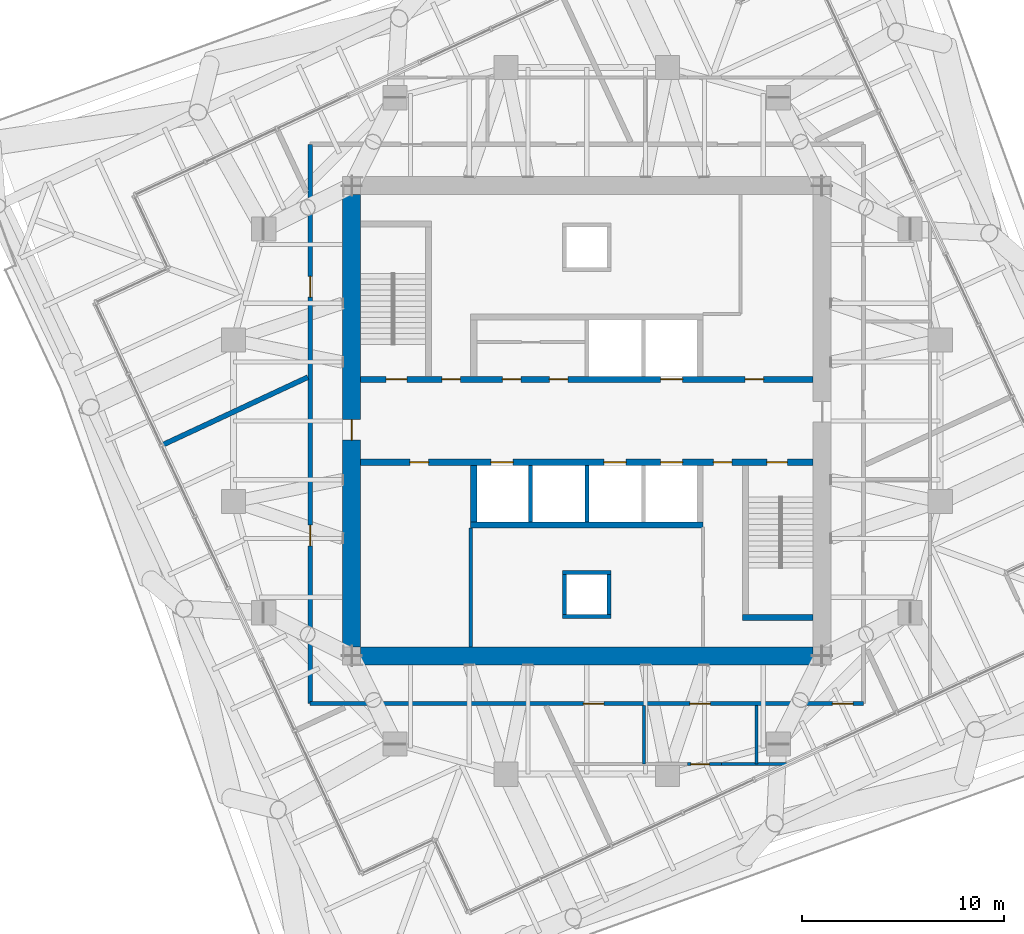
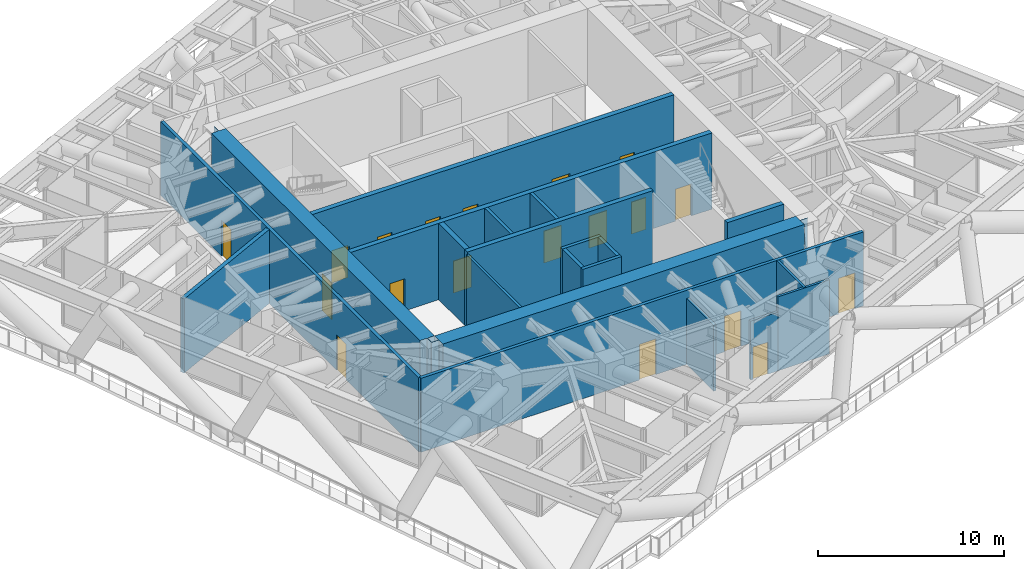
# One storey, part 9 of 16: 21 walls, 19 doors, 19 openings.
"""IFC4 building model written with IfcOpenShell, lengths in metres."""

from ifc_helpers import new_model, si_unit, direction, frame, frame_2d, origin, place, context, subcontext, project, spatial, polyline, rectangle, outline, extrude, material, layer, layer_set, type_object, element, fill, save


model = new_model("IFC4")

# Units and contexts
model_context = context("Model", 3, precision=1e-05, world=origin(), true_north=direction((0.0, 1.0)))
body_context = subcontext(model_context, "Body", "Model", "MODEL_VIEW")
ifc_project = project(units=[si_unit("LENGTHUNIT", "METRE"), si_unit("AREAUNIT", "SQUARE_METRE"), si_unit("VOLUMEUNIT", "CUBIC_METRE"), si_unit("PLANEANGLEUNIT", "RADIAN"), si_unit("MASSUNIT", "GRAM", prefix="KILO")], contexts=[model_context])

# Site, building, storey
site_placement = place(None, origin())
site = spatial("IfcSite", under=ifc_project, at=site_placement, CompositionType="ELEMENT")
building_placement = place(site_placement, origin())
building = spatial("IfcBuilding", under=site, at=building_placement, Name="Torsade Residences", CompositionType="ELEMENT")
storey_placement = place(building_placement, frame((0.0, 0.0, 171.0)))
storey = spatial("IfcBuildingStorey", under=building, at=storey_placement, Name="L47", CompositionType="ELEMENT", Elevation=171.0)

# Wall, openings, doors
ifc_material_1 = material(Name="Concrete 80 MPa", Category="concrete")
ifc_layer_1 = layer(ifc_material_1, 0.300048828125)
ifc_layer_set_1 = layer_set([ifc_layer_1], Name="Concrete 80 MPa")
wall_type_1 = type_object("IfcWallType", Name="CORE INTERNAL WALL 300", PredefinedType="SHEAR", material=ifc_layer_set_1)
wall_1_placement = place(storey_placement, frame((28.800048828125, 32.050048828125, 0.0), z_axis=(0.0, 0.0, 1.0), x_axis=(1.0, 0.0, 0.0)))
wall_1 = element("IfcWall", 1, at=wall_1_placement, inside=storey, type_object=wall_type_1, Name="Core wall LN L47", PredefinedType="SHEAR", context=body_context, shape_type="SweptSolid", body=[
    extrude(rectangle(XDim=22.39990234375, YDim=0.300048828125, at=frame_2d((11.199951171875, 0.0))), origin(), (0.0, 0.0, 1.0), 5.0),
])
opening_1_placement = place(wall_1_placement, frame((19.0400390625, 0.0, 0.0)))
opening_1 = element("IfcOpeningElement", 2, at=opening_1_placement, cuts=wall_1, Name="Opening D06", PredefinedType="OPENING", context=body_context, shape_type="SweptSolid", body=[
    extrude(rectangle(XDim=0.919921875, YDim=2.10009765625, at=frame_2d((0.4599609375, 1.050048828125))), frame((0.0, 0.159912109375, 0.0), z_axis=(0.0, -1.0, 0.0), x_axis=(1.0, 0.0, 0.0)), (0.0, 0.0, 1.0), 0.320068359375),
])
opening_2_placement = place(wall_1_placement, frame((1.264892578125, 0.0, 0.0)))
opening_2 = element("IfcOpeningElement", 3, at=opening_2_placement, cuts=wall_1, Name="Opening D03", PredefinedType="OPENING", context=body_context, shape_type="SweptSolid", body=[
    extrude(rectangle(XDim=1.02001953125, YDim=2.10009765625, at=frame_2d((0.510009765625, 1.050048828125))), frame((0.0, 0.159912109375, 0.0), z_axis=(0.0, -1.0, 0.0), x_axis=(1.0, 0.0, 0.0)), (0.0, 0.0, 1.0), 0.320068359375),
])
opening_3_placement = place(wall_1_placement, frame((4.014892578125, 0.0, 0.0)))
opening_3 = element("IfcOpeningElement", 4, at=opening_3_placement, cuts=wall_1, Name="Opening D06", PredefinedType="OPENING", context=body_context, shape_type="SweptSolid", body=[
    extrude(rectangle(XDim=0.919921875, YDim=2.10009765625, at=frame_2d((0.4599609375, 1.050048828125))), frame((0.0, 0.159912109375, 0.0), z_axis=(0.0, -1.0, 0.0), x_axis=(1.0, 0.0, 0.0)), (0.0, 0.0, 1.0), 0.320068359375),
])
opening_4_placement = place(wall_1_placement, frame((7.014892578125, 0.0, 0.0)))
opening_4 = element("IfcOpeningElement", 5, at=opening_4_placement, cuts=wall_1, Name="Opening D06", PredefinedType="OPENING", context=body_context, shape_type="SweptSolid", body=[
    extrude(rectangle(XDim=0.919921875, YDim=2.10009765625, at=frame_2d((0.4599609375, 1.050048828125))), frame((0.0, 0.159912109375, 0.0), z_axis=(0.0, -1.0, 0.0), x_axis=(1.0, 0.0, 0.0)), (0.0, 0.0, 1.0), 0.320068359375),
])
opening_5_placement = place(wall_1_placement, frame((9.340087890625, 0.0, 0.0)))
opening_5 = element("IfcOpeningElement", 6, at=opening_5_placement, cuts=wall_1, Name="Opening D06", PredefinedType="OPENING", context=body_context, shape_type="SweptSolid", body=[
    extrude(rectangle(XDim=0.919921875, YDim=2.10009765625, at=frame_2d((0.4599609375, 1.050048828125))), frame((0.0, 0.159912109375, 0.0), z_axis=(0.0, -1.0, 0.0), x_axis=(1.0, 0.0, 0.0)), (0.0, 0.0, 1.0), 0.320068359375),
])
opening_6_placement = place(wall_1_placement, frame((14.85009765625, 0.0, 0.0)))
opening_6 = element("IfcOpeningElement", 7, at=opening_6_placement, cuts=wall_1, Name="Opening LD", PredefinedType="OPENING", context=body_context, shape_type="SweptSolid", body=[
    extrude(rectangle(XDim=1.10009765625, YDim=2.10009765625, at=frame_2d((0.550048828125, 1.050048828125))), frame((0.0, 0.159912109375, 0.0), z_axis=(0.0, -1.0, 0.0), x_axis=(1.0, 0.0, 0.0)), (0.0, 0.0, 1.0), 0.320068359375),
])
ifc_material_2 = material(Name="Steel-framed fire door", Category="steel")
door_type_1 = type_object("IfcDoorType", Name="FIRE DOOR 1020", OperationType="NOTDEFINED", PredefinedType="DOOR", material=ifc_material_2)
door_1_placement = place(opening_2_placement, origin())
door_1 = element("IfcDoor", 8, at=door_1_placement, inside=storey, type_object=door_type_1, Name="Exit door to fire-isolated stair ST1 L47", OperationType="SINGLE_SWING_RIGHT", OverallHeight=2.10009765625, OverallWidth=1.02001953125, PredefinedType="DOOR", context=body_context, shape_type="SweptSolid", body=[
    extrude(rectangle(XDim=1.02001953125, YDim=2.10009765625, at=frame_2d((0.510009765625, 1.050048828125))), frame((0.0, 0.02490234375, 0.0), z_axis=(0.0, -1.0, 0.0), x_axis=(1.0, 0.0, 0.0)), (0.0, 0.0, 1.0), 0.050048828125),
])
fill(opening_2, door_1)
ifc_material_3 = material(Name="Steel-framed fire door", Category="steel")
door_type_2 = type_object("IfcDoorType", Name="FIRE DOOR 920", OperationType="NOTDEFINED", PredefinedType="DOOR", material=ifc_material_3)
door_2_placement = place(opening_1_placement, origin())
door_2 = element("IfcDoor", 9, at=door_2_placement, inside=storey, type_object=door_type_2, Name="Door Lift lobby to Refuse room", OperationType="SINGLE_SWING_LEFT", OverallHeight=2.10009765625, OverallWidth=0.919921875, PredefinedType="DOOR", context=body_context, shape_type="SweptSolid", body=[
    extrude(rectangle(XDim=0.919921875, YDim=2.10009765625, at=frame_2d((0.4599609375, 1.050048828125))), frame((0.0, 0.02490234375, 0.0), z_axis=(0.0, -1.0, 0.0), x_axis=(1.0, 0.0, 0.0)), (0.0, 0.0, 1.0), 0.050048828125),
])
fill(opening_1, door_2)
door_3_placement = place(opening_3_placement, origin())
door_3 = element("IfcDoor", 10, at=door_3_placement, inside=storey, type_object=door_type_2, Name="Door Lift lobby to Electrical riser room", OperationType="SINGLE_SWING_LEFT", OverallHeight=2.10009765625, OverallWidth=0.919921875, PredefinedType="DOOR", context=body_context, shape_type="SweptSolid", body=[
    extrude(rectangle(XDim=0.919921875, YDim=2.10009765625, at=frame_2d((0.4599609375, 1.050048828125))), frame((0.0, 0.02490234375, 0.0), z_axis=(0.0, -1.0, 0.0), x_axis=(1.0, 0.0, 0.0)), (0.0, 0.0, 1.0), 0.050048828125),
])
fill(opening_3, door_3)
door_4_placement = place(opening_4_placement, origin())
door_4 = element("IfcDoor", 11, at=door_4_placement, inside=storey, type_object=door_type_2, Name="Door Lift lobby to IT equipment room L47A", OperationType="SINGLE_SWING_RIGHT", OverallHeight=2.10009765625, OverallWidth=0.919921875, PredefinedType="DOOR", context=body_context, shape_type="SweptSolid", body=[
    extrude(rectangle(XDim=0.919921875, YDim=2.10009765625, at=frame_2d((0.4599609375, 1.050048828125))), frame((0.0, 0.02490234375, 0.0), z_axis=(0.0, -1.0, 0.0), x_axis=(1.0, 0.0, 0.0)), (0.0, 0.0, 1.0), 0.050048828125),
])
fill(opening_4, door_4)
door_5_placement = place(opening_5_placement, origin())
door_5 = element("IfcDoor", 12, at=door_5_placement, inside=storey, type_object=door_type_2, Name="Door Lift lobby to IT equipment room L47A", OperationType="SINGLE_SWING_LEFT", OverallHeight=2.10009765625, OverallWidth=0.919921875, PredefinedType="DOOR", context=body_context, shape_type="SweptSolid", body=[
    extrude(rectangle(XDim=0.919921875, YDim=2.10009765625, at=frame_2d((0.4599609375, 1.050048828125))), frame((0.0, 0.02490234375, 0.0), z_axis=(0.0, -1.0, 0.0), x_axis=(1.0, 0.0, 0.0)), (0.0, 0.0, 1.0), 0.050048828125),
])
fill(opening_5, door_5)
ifc_material_4 = material(Name="Stainless steel lift landing door", Category="steel")
door_type_3 = type_object("IfcDoorType", Name="LIFT LANDING DOOR 1100", OperationType="SLIDING_TO_LEFT", PredefinedType="DOOR", material=ifc_material_4)
door_6_placement = place(opening_6_placement, origin())
door_6 = element("IfcDoor", 13, at=door_6_placement, inside=storey, type_object=door_type_3, Name="Lift FL1 landing door L47", OperationType="SLIDING_TO_LEFT", OverallHeight=2.10009765625, OverallWidth=1.10009765625, PredefinedType="DOOR", context=body_context, shape_type="SweptSolid", body=[
    extrude(rectangle(XDim=1.10009765625, YDim=2.10009765625, at=frame_2d((0.550048828125, 1.050048828125))), frame((0.0, 0.02490234375, 0.0), z_axis=(0.0, -1.0, 0.0), x_axis=(1.0, 0.0, 0.0)), (0.0, 0.0, 1.0), 0.050048828125),
])
fill(opening_6, door_6)

wall_2_placement = place(storey_placement, frame((51.199951171875, 27.949951171875, 0.0), z_axis=(0.0, 0.0, 1.0), x_axis=(-1.0, 0.0, 0.0)))
wall_2 = element("IfcWall", 14, at=wall_2_placement, inside=storey, type_object=wall_type_1, Name="Core wall LS L47", PredefinedType="SHEAR", context=body_context, shape_type="SweptSolid", body=[
    extrude(rectangle(XDim=22.39990234375, YDim=0.300048828125, at=frame_2d((11.199951171875, 0.0))), origin(), (0.0, 0.0, 1.0), 5.0),
])
opening_7_placement = place(wall_2_placement, frame((19.0400390625, 0.0, 0.0)))
opening_7 = element("IfcOpeningElement", 15, at=opening_7_placement, cuts=wall_2, Name="Opening D06", PredefinedType="OPENING", context=body_context, shape_type="SweptSolid", body=[
    extrude(rectangle(XDim=0.919921875, YDim=2.10009765625, at=frame_2d((0.4599609375, 1.050048828125))), frame((0.0, 0.159912109375, 0.0), z_axis=(0.0, -1.0, 0.0), x_axis=(1.0, 0.0, 0.0)), (0.0, 0.0, 1.0), 0.320068359375),
])
opening_8_placement = place(wall_2_placement, frame((1.264892578125, 0.0, 0.0)))
opening_8 = element("IfcOpeningElement", 16, at=opening_8_placement, cuts=wall_2, Name="Opening D03", PredefinedType="OPENING", context=body_context, shape_type="SweptSolid", body=[
    extrude(rectangle(XDim=1.02001953125, YDim=2.10009765625, at=frame_2d((0.510009765625, 1.050048828125))), frame((0.0, 0.159912109375, 0.0), z_axis=(0.0, -1.0, 0.0), x_axis=(1.0, 0.0, 0.0)), (0.0, 0.0, 1.0), 0.320068359375),
])
opening_9_placement = place(wall_2_placement, frame((4.014892578125, 0.0, 0.0)))
opening_9 = element("IfcOpeningElement", 17, at=opening_9_placement, cuts=wall_2, Name="Opening D06", PredefinedType="OPENING", context=body_context, shape_type="SweptSolid", body=[
    extrude(rectangle(XDim=0.919921875, YDim=2.10009765625, at=frame_2d((0.4599609375, 1.050048828125))), frame((0.0, 0.159912109375, 0.0), z_axis=(0.0, -1.0, 0.0), x_axis=(1.0, 0.0, 0.0)), (0.0, 0.0, 1.0), 0.320068359375),
])
opening_10_placement = place(wall_2_placement, frame((6.449951171875, 0.0, 0.0)))
opening_10 = element("IfcOpeningElement", 18, at=opening_10_placement, cuts=wall_2, Name="Opening LD", PredefinedType="OPENING", context=body_context, shape_type="SweptSolid", body=[
    extrude(rectangle(XDim=1.10009765625, YDim=2.10009765625, at=frame_2d((0.550048828125, 1.050048828125))), frame((0.0, 0.159912109375, 0.0), z_axis=(0.0, -1.0, 0.0), x_axis=(1.0, 0.0, 0.0)), (0.0, 0.0, 1.0), 0.320068359375),
])
opening_11_placement = place(wall_2_placement, frame((9.25, 0.0, 0.0)))
opening_11 = element("IfcOpeningElement", 19, at=opening_11_placement, cuts=wall_2, Name="Opening LD", PredefinedType="OPENING", context=body_context, shape_type="SweptSolid", body=[
    extrude(rectangle(XDim=1.10009765625, YDim=2.10009765625, at=frame_2d((0.550048828125, 1.050048828125))), frame((0.0, 0.159912109375, 0.0), z_axis=(0.0, -1.0, 0.0), x_axis=(1.0, 0.0, 0.0)), (0.0, 0.0, 1.0), 0.320068359375),
])
opening_12_placement = place(wall_2_placement, frame((14.85009765625, 0.0, 0.0)))
opening_12 = element("IfcOpeningElement", 20, at=opening_12_placement, cuts=wall_2, Name="Opening LD", PredefinedType="OPENING", context=body_context, shape_type="SweptSolid", body=[
    extrude(rectangle(XDim=1.10009765625, YDim=2.10009765625, at=frame_2d((0.550048828125, 1.050048828125))), frame((0.0, 0.159912109375, 0.0), z_axis=(0.0, -1.0, 0.0), x_axis=(1.0, 0.0, 0.0)), (0.0, 0.0, 1.0), 0.320068359375),
])
door_7_placement = place(opening_8_placement, origin())
door_7 = element("IfcDoor", 21, at=door_7_placement, inside=storey, type_object=door_type_1, Name="Exit door to fire-isolated stair ST2 L47", OperationType="SINGLE_SWING_RIGHT", OverallHeight=2.10009765625, OverallWidth=1.02001953125, PredefinedType="DOOR", context=body_context, shape_type="SweptSolid", body=[
    extrude(rectangle(XDim=1.02001953125, YDim=2.10009765625, at=frame_2d((0.510009765625, 1.050048828125))), frame((0.0, 0.02490234375, 0.0), z_axis=(0.0, -1.0, 0.0), x_axis=(1.0, 0.0, 0.0)), (0.0, 0.0, 1.0), 0.050048828125),
])
fill(opening_8, door_7)
door_8_placement = place(opening_7_placement, origin())
door_8 = element("IfcDoor", 22, at=door_8_placement, inside=storey, type_object=door_type_2, Name="Door Lift lobby to Cleaner store", OperationType="SINGLE_SWING_LEFT", OverallHeight=2.10009765625, OverallWidth=0.919921875, PredefinedType="DOOR", context=body_context, shape_type="SweptSolid", body=[
    extrude(rectangle(XDim=0.919921875, YDim=2.10009765625, at=frame_2d((0.4599609375, 1.050048828125))), frame((0.0, 0.02490234375, 0.0), z_axis=(0.0, -1.0, 0.0), x_axis=(1.0, 0.0, 0.0)), (0.0, 0.0, 1.0), 0.050048828125),
])
fill(opening_7, door_8)
door_9_placement = place(opening_9_placement, origin())
door_9 = element("IfcDoor", 23, at=door_9_placement, inside=storey, type_object=door_type_2, Name="Door Lift lobby to Security and data store", OperationType="SINGLE_SWING_RIGHT", OverallHeight=2.10009765625, OverallWidth=0.919921875, PredefinedType="DOOR", context=body_context, shape_type="SweptSolid", body=[
    extrude(rectangle(XDim=0.919921875, YDim=2.10009765625, at=frame_2d((0.4599609375, 1.050048828125))), frame((0.0, 0.02490234375, 0.0), z_axis=(0.0, -1.0, 0.0), x_axis=(1.0, 0.0, 0.0)), (0.0, 0.0, 1.0), 0.050048828125),
])
fill(opening_9, door_9)
door_10_placement = place(opening_10_placement, origin())
door_10 = element("IfcDoor", 24, at=door_10_placement, inside=storey, type_object=door_type_3, Name="Lift LB1 landing door L47", OperationType="SLIDING_TO_LEFT", OverallHeight=2.10009765625, OverallWidth=1.10009765625, PredefinedType="DOOR", context=body_context, shape_type="SweptSolid", body=[
    extrude(rectangle(XDim=1.10009765625, YDim=2.10009765625, at=frame_2d((0.550048828125, 1.050048828125))), frame((0.0, 0.02490234375, 0.0), z_axis=(0.0, -1.0, 0.0), x_axis=(1.0, 0.0, 0.0)), (0.0, 0.0, 1.0), 0.050048828125),
])
fill(opening_10, door_10)
door_11_placement = place(opening_11_placement, origin())
door_11 = element("IfcDoor", 25, at=door_11_placement, inside=storey, type_object=door_type_3, Name="Lift LB2 landing door L47", OperationType="SLIDING_TO_LEFT", OverallHeight=2.10009765625, OverallWidth=1.10009765625, PredefinedType="DOOR", context=body_context, shape_type="SweptSolid", body=[
    extrude(rectangle(XDim=1.10009765625, YDim=2.10009765625, at=frame_2d((0.550048828125, 1.050048828125))), frame((0.0, 0.02490234375, 0.0), z_axis=(0.0, -1.0, 0.0), x_axis=(1.0, 0.0, 0.0)), (0.0, 0.0, 1.0), 0.050048828125),
])
fill(opening_11, door_11)
door_12_placement = place(opening_12_placement, origin())
door_12 = element("IfcDoor", 26, at=door_12_placement, inside=storey, type_object=door_type_3, Name="Lift FL2 landing door L47", OperationType="SLIDING_TO_LEFT", OverallHeight=2.10009765625, OverallWidth=1.10009765625, PredefinedType="DOOR", context=body_context, shape_type="SweptSolid", body=[
    extrude(rectangle(XDim=1.10009765625, YDim=2.10009765625, at=frame_2d((0.550048828125, 1.050048828125))), frame((0.0, 0.02490234375, 0.0), z_axis=(0.0, -1.0, 0.0), x_axis=(1.0, 0.0, 0.0)), (0.0, 0.0, 1.0), 0.050048828125),
])
fill(opening_12, door_12)

# Walls
wall_3_placement = place(storey_placement, frame((45.75, 24.85009765625, 0.0), z_axis=(0.0, 0.0, 1.0), x_axis=(-1.0, 0.0, 0.0)))
element("IfcWall", 27, at=wall_3_placement, inside=storey, type_object=wall_type_1, Name="Core wall BS L47", PredefinedType="SHEAR", context=body_context, shape_type="SweptSolid", body=[
    extrude(rectangle(XDim=11.5, YDim=0.300048828125, at=frame_2d((5.75, 0.0))), origin(), (0.0, 0.0, 1.0), 5.0),
])
wall_4_placement = place(storey_placement, frame((34.39990234375, 27.800048828125, 0.0), z_axis=(0.0, 0.0, 1.0), x_axis=(0.0, -1.0, 0.0)))
element("IfcWall", 28, at=wall_4_placement, inside=storey, type_object=wall_type_1, Name="Core wall DS4 L47", PredefinedType="SHEAR", context=body_context, shape_type="SweptSolid", body=[
    extrude(rectangle(XDim=2.800048828125, YDim=0.300048828125, at=frame_2d((1.39990234375, 0.0))), origin(), (0.0, 0.0, 1.0), 5.0),
])
wall_5_placement = place(storey_placement, frame((51.199951171875, 20.25, 0.0), z_axis=(0.0, 0.0, 1.0), x_axis=(-1.0, 0.0, 0.0)))
element("IfcWall", 29, at=wall_5_placement, inside=storey, type_object=wall_type_1, Name="Core wall ST2S L47", PredefinedType="SHEAR", context=body_context, shape_type="SweptSolid", body=[
    extrude(rectangle(XDim=3.5, YDim=0.300048828125, at=frame_2d((1.75, 0.0))), origin(), (0.0, 0.0, 1.0), 5.0),
])
ifc_material_5 = material(Name="Concrete 80 MPa", Category="concrete")
ifc_layer_2 = layer(ifc_material_5, 0.89990234375)
ifc_layer_set_2 = layer_set([ifc_layer_2], Name="Concrete 80 MPa")
wall_type_2 = type_object("IfcWallType", Name="CORE WALL 900", PredefinedType="SHEAR", material=ifc_layer_set_2)
wall_6_placement = place(storey_placement, frame((51.199951171875, 18.35009765625, 0.0), z_axis=(0.0, 0.0, 1.0), x_axis=(-1.0, 0.0, 0.0)))
element("IfcWall", 30, at=wall_6_placement, inside=storey, type_object=wall_type_2, Name="Core wall S L47", PredefinedType="SHEAR", context=body_context, shape_type="SweptSolid", body=[
    extrude(outline(polyline([(0.0, -0.449951171875), (22.39990234375, -0.449951171875), (22.39990234375, -0.02490234375), (22.849853515625, -0.02490234375), (22.849853515625, 0.02490234375), (22.39990234375, 0.02490234375), (22.39990234375, 0.449951171875), (0.0, 0.449951171875), (0.0, 0.02490234375), (-0.449951171875, 0.02490234375), (-0.449951171875, -0.02490234375), (0.0, -0.02490234375), (0.0, -0.449951171875)])), origin(), (0.0, 0.0, 1.0), 5.0),
])

# Wall, opening, door
wall_7_placement = place(storey_placement, frame((28.35009765625, 41.199951171875, 0.0), z_axis=(0.0, 0.0, 1.0), x_axis=(0.0, -1.0, 0.0)))
wall_7 = element("IfcWall", 31, at=wall_7_placement, inside=storey, type_object=wall_type_2, Name="Core wall W L47", PredefinedType="SHEAR", context=body_context, shape_type="SweptSolid", body=[
    extrude(outline(polyline([(0.0, -0.449951171875), (22.39990234375, -0.449951171875), (22.39990234375, -0.02490234375), (22.849853515625, -0.02490234375), (22.849853515625, 0.02490234375), (22.39990234375, 0.02490234375), (22.39990234375, 0.449951171875), (0.0, 0.449951171875), (0.0, 0.02490234375), (-0.449951171875, 0.02490234375), (-0.449951171875, -0.02490234375), (0.0, -0.02490234375), (0.0, -0.449951171875)])), origin(), (0.0, 0.0, 1.0), 5.0),
])
opening_13_placement = place(wall_7_placement, frame((11.139892578125, 0.0, 0.0)))
opening_13 = element("IfcOpeningElement", 32, at=opening_13_placement, cuts=wall_7, Name="Opening D04", PredefinedType="OPENING", context=body_context, shape_type="SweptSolid", body=[
    extrude(rectangle(XDim=1.02001953125, YDim=2.39990234375, at=frame_2d((0.510009765625, 1.199951171875))), frame((0.0, 0.4599609375, 0.0), z_axis=(0.0, -1.0, 0.0), x_axis=(1.0, 0.0, 0.0)), (0.0, 0.0, 1.0), 0.919921875),
])
ifc_material_6 = material(Name="Steel-framed fire door", Category="steel")
door_type_4 = type_object("IfcDoorType", Name="LOBBY SMOKE DOOR 1020x2400", OperationType="NOTDEFINED", PredefinedType="DOOR", material=ifc_material_6)
door_13_placement = place(opening_13_placement, origin())
door_13 = element("IfcDoor", 33, at=door_13_placement, inside=storey, type_object=door_type_4, Name="Lift lobby door W L47", OperationType="SINGLE_SWING_RIGHT", OverallHeight=2.39990234375, OverallWidth=1.02001953125, PredefinedType="DOOR", context=body_context, shape_type="SweptSolid", body=[
    extrude(rectangle(XDim=1.02001953125, YDim=2.39990234375, at=frame_2d((0.510009765625, 1.199951171875))), frame((0.0, 0.02490234375, 0.0), z_axis=(0.0, -1.0, 0.0), x_axis=(1.0, 0.0, 0.0)), (0.0, 0.0, 1.0), 0.050048828125),
])
fill(opening_13, door_13)

# Wall, openings, doors
ifc_material_7 = material(Name="Plasterboard on steel stud", Category="steel")
ifc_layer_3 = layer(ifc_material_7, 0.199951171875)
ifc_layer_set_3 = layer_set([ifc_layer_3], Name="Plasterboard on steel stud")
wall_type_3 = type_object("IfcWallType", Name="CORRIDOR WALL 200", PredefinedType="PARTITIONING", material=ifc_layer_set_3)
wall_8_placement = place(storey_placement, frame((26.300048828125, 16.0, 0.0), z_axis=(0.0, 0.0, 1.0), x_axis=(1.0, 0.0, 0.0)))
wall_8 = element("IfcWall", 34, at=wall_8_placement, inside=storey, type_object=wall_type_3, Name="Corridor wall L47", PredefinedType="PARTITIONING", context=body_context, shape_type="SweptSolid", body=[
    extrude(rectangle(XDim=27.39990234375, YDim=0.199951171875, at=frame_2d((13.699951171875, 0.0))), origin(), (0.0, 0.0, 1.0), 4.85009765625),
])
opening_14_placement = place(wall_8_placement, frame((18.80224609375, 0.0, 0.0)))
opening_14 = element("IfcOpeningElement", 35, at=opening_14_placement, cuts=wall_8, Name="Opening D01", PredefinedType="OPENING", context=body_context, shape_type="SweptSolid", body=[
    extrude(rectangle(XDim=1.02001953125, YDim=2.340087890625, at=frame_2d((0.510009765625, 1.169921875))), frame((0.0, 0.10986328125, 0.0), z_axis=(0.0, -1.0, 0.0), x_axis=(1.0, 0.0, 0.0)), (0.0, 0.0, 1.0), 0.219970703125),
])
opening_15_placement = place(wall_8_placement, frame((13.52685546875, 0.0, 0.0)))
opening_15 = element("IfcOpeningElement", 36, at=opening_15_placement, cuts=wall_8, Name="Opening D01", PredefinedType="OPENING", context=body_context, shape_type="SweptSolid", body=[
    extrude(rectangle(XDim=1.02001953125, YDim=2.340087890625, at=frame_2d((0.510009765625, 1.169921875))), frame((0.0, 0.10986328125, 0.0), z_axis=(0.0, -1.0, 0.0), x_axis=(1.0, 0.0, 0.0)), (0.0, 0.0, 1.0), 0.219970703125),
])
opening_16_placement = place(wall_8_placement, frame((25.865234375, 0.0, 0.0)))
opening_16 = element("IfcOpeningElement", 37, at=opening_16_placement, cuts=wall_8, Name="Opening D01", PredefinedType="OPENING", context=body_context, shape_type="SweptSolid", body=[
    extrude(rectangle(XDim=1.02001953125, YDim=2.340087890625, at=frame_2d((0.510009765625, 1.169921875))), frame((0.0, 0.10986328125, 0.0), z_axis=(0.0, -1.0, 0.0), x_axis=(1.0, 0.0, 0.0)), (0.0, 0.0, 1.0), 0.219970703125),
])
ifc_material_8 = material(Name="Solid-core timber fire door", Category="wood")
door_type_5 = type_object("IfcDoorType", Name="APARTMENT ENTRY DOOR 1020x2340", OperationType="NOTDEFINED", PredefinedType="DOOR", material=ifc_material_8)
door_14_placement = place(opening_14_placement, origin())
door_14 = element("IfcDoor", 38, at=door_14_placement, inside=storey, type_object=door_type_5, Name="Door Plant corridor to Plant cupboard", OperationType="SINGLE_SWING_LEFT", OverallHeight=2.340087890625, OverallWidth=1.02001953125, PredefinedType="DOOR", context=body_context, shape_type="SweptSolid", body=[
    extrude(rectangle(XDim=1.02001953125, YDim=2.340087890625, at=frame_2d((0.510009765625, 1.169921875))), frame((0.0, 0.02490234375, 0.0), z_axis=(0.0, -1.0, 0.0), x_axis=(1.0, 0.0, 0.0)), (0.0, 0.0, 1.0), 0.050048828125),
])
fill(opening_14, door_14)
door_15_placement = place(opening_15_placement, origin())
door_15 = element("IfcDoor", 39, at=door_15_placement, inside=storey, type_object=door_type_5, Name="Door Plant corridor to Store", OperationType="SINGLE_SWING_RIGHT", OverallHeight=2.340087890625, OverallWidth=1.02001953125, PredefinedType="DOOR", context=body_context, shape_type="SweptSolid", body=[
    extrude(rectangle(XDim=1.02001953125, YDim=2.340087890625, at=frame_2d((0.510009765625, 1.169921875))), frame((0.0, 0.02490234375, 0.0), z_axis=(0.0, -1.0, 0.0), x_axis=(1.0, 0.0, 0.0)), (0.0, 0.0, 1.0), 0.050048828125),
])
fill(opening_15, door_15)
door_16_placement = place(opening_16_placement, origin())
door_16 = element("IfcDoor", 40, at=door_16_placement, inside=storey, type_object=door_type_5, Name="Door Plant corridor to Service lobby", OperationType="SINGLE_SWING_RIGHT", OverallHeight=2.340087890625, OverallWidth=1.02001953125, PredefinedType="DOOR", context=body_context, shape_type="SweptSolid", body=[
    extrude(rectangle(XDim=1.02001953125, YDim=2.340087890625, at=frame_2d((0.510009765625, 1.169921875))), frame((0.0, 0.02490234375, 0.0), z_axis=(0.0, -1.0, 0.0), x_axis=(1.0, 0.0, 0.0)), (0.0, 0.0, 1.0), 0.050048828125),
])
fill(opening_16, door_16)

wall_9_placement = place(storey_placement, frame((26.300048828125, 43.699951171875, 0.0), z_axis=(0.0, 0.0, 1.0), x_axis=(0.0, -1.0, 0.0)))
wall_9 = element("IfcWall", 41, at=wall_9_placement, inside=storey, type_object=wall_type_3, Name="Corridor wall L47", PredefinedType="PARTITIONING", context=body_context, shape_type="SweptSolid", body=[
    extrude(rectangle(XDim=27.699951171875, YDim=0.199951171875, at=frame_2d((13.85009765625, 0.0))), origin(), (0.0, 0.0, 1.0), 4.85009765625),
])
opening_17_placement = place(wall_9_placement, frame((18.869873046875, 0.0, 0.0)))
opening_17 = element("IfcOpeningElement", 42, at=opening_17_placement, cuts=wall_9, Name="Opening D01", PredefinedType="OPENING", context=body_context, shape_type="SweptSolid", body=[
    extrude(rectangle(XDim=1.02001953125, YDim=2.340087890625, at=frame_2d((0.510009765625, 1.169921875))), frame((0.0, 0.10986328125, 0.0), z_axis=(0.0, -1.0, 0.0), x_axis=(1.0, 0.0, 0.0)), (0.0, 0.0, 1.0), 0.219970703125),
])
opening_18_placement = place(wall_9_placement, frame((6.54541015625, 0.0, 0.0)))
opening_18 = element("IfcOpeningElement", 43, at=opening_18_placement, cuts=wall_9, Name="Opening D01", PredefinedType="OPENING", context=body_context, shape_type="SweptSolid", body=[
    extrude(rectangle(XDim=1.02001953125, YDim=2.340087890625, at=frame_2d((0.510009765625, 1.169921875))), frame((0.0, 0.10986328125, 0.0), z_axis=(0.0, -1.0, 0.0), x_axis=(1.0, 0.0, 0.0)), (0.0, 0.0, 1.0), 0.219970703125),
])
door_17_placement = place(opening_17_placement, origin())
door_17 = element("IfcDoor", 44, at=door_17_placement, inside=storey, type_object=door_type_5, Name="Door Plant corridor to Refuge area", OperationType="SINGLE_SWING_LEFT", OverallHeight=2.340087890625, OverallWidth=1.02001953125, PredefinedType="DOOR", context=body_context, shape_type="SweptSolid", body=[
    extrude(rectangle(XDim=1.02001953125, YDim=2.340087890625, at=frame_2d((0.510009765625, 1.169921875))), frame((0.0, 0.02490234375, 0.0), z_axis=(0.0, -1.0, 0.0), x_axis=(1.0, 0.0, 0.0)), (0.0, 0.0, 1.0), 0.050048828125),
])
fill(opening_17, door_17)
door_18_placement = place(opening_18_placement, origin())
door_18 = element("IfcDoor", 45, at=door_18_placement, inside=storey, type_object=door_type_5, Name="Door Plant corridor to Refuge area", OperationType="SINGLE_SWING_RIGHT", OverallHeight=2.340087890625, OverallWidth=1.02001953125, PredefinedType="DOOR", context=body_context, shape_type="SweptSolid", body=[
    extrude(rectangle(XDim=1.02001953125, YDim=2.340087890625, at=frame_2d((0.510009765625, 1.169921875))), frame((0.0, 0.02490234375, 0.0), z_axis=(0.0, -1.0, 0.0), x_axis=(1.0, 0.0, 0.0)), (0.0, 0.0, 1.0), 0.050048828125),
])
fill(opening_18, door_18)

# Walls
ifc_material_9 = material(Name="Reinforced blockwork", Category="masonry")
ifc_layer_4 = layer(ifc_material_9, 0.199951171875)
ifc_layer_set_4 = layer_set([ifc_layer_4], Name="Reinforced blockwork")
wall_type_4 = type_object("IfcWallType", Name="LIFT SHAFT DIVIDING WALL 200", PredefinedType="SOLIDWALL", material=ifc_layer_set_4)
for number, where, z_axis, x_axis, name in (
    (46, (40.0, 27.800048828125, 0.0), (0.0, 0.0, 1.0), (0.0, -1.0, 0.0), "Core wall DS2 L47"),
    (47, (37.199951171875, 27.800048828125, 0.0), (0.0, 0.0, 1.0), (0.0, -1.0, 0.0), "Core wall DS3 L47"),
):
    element("IfcWall", number, at=place(storey_placement, frame(where, z_axis=z_axis, x_axis=x_axis)), inside=storey, type_object=wall_type_4, Name=name, PredefinedType="SOLIDWALL", context=body_context, shape_type="SweptSolid", body=[
        extrude(rectangle(XDim=2.800048828125, YDim=0.199951171875, at=frame_2d((1.39990234375, 0.0))), origin(), (0.0, 0.0, 1.0), 5.0),
    ])
ifc_material_10 = material(Name="Masonry-lined stud party wall", Category="masonry")
ifc_layer_5 = layer(ifc_material_10, 0.25)
ifc_layer_set_5 = layer_set([ifc_layer_5], Name="Masonry-lined stud party wall")
wall_type_5 = type_object("IfcWallType", Name="PARTY WALL 250", PredefinedType="PARTITIONING", material=ifc_layer_set_5)
wall_10_placement = place(storey_placement, frame((18.93994140625, 28.785888671875, 0.0), z_axis=(0.0, 0.0, 1.0), x_axis=(0.906306405344, 0.422621224778, 0.0)))
element("IfcWall", 48, at=wall_10_placement, inside=storey, type_object=wall_type_5, Name="Party wall L47", PredefinedType="PARTITIONING", context=body_context, shape_type="SweptSolid", body=[
    extrude(rectangle(XDim=7.9921875, YDim=0.25, at=frame_2d((3.99609375, 0.0))), origin(), (0.0, 0.0, 1.0), 4.85009765625),
])
ifc_material_11 = material(Name="Reinforced blockwork", Category="masonry")
ifc_layer_6 = layer(ifc_material_11, 0.199951171875)
ifc_layer_set_6 = layer_set([ifc_layer_6], Name="Reinforced blockwork")
wall_type_6 = type_object("IfcWallType", Name="RISER SHAFT WALL 200", PredefinedType="SOLIDWALL", material=ifc_layer_set_6)
for number, where, z_axis, x_axis, name in (
    (49, (38.89990234375, 22.39990234375, 0.0), (0.0, 0.0, 1.0), (0.0, -1.0, 0.0), "Core wall RS2a L47"),
    (50, (41.10009765625, 22.39990234375, 0.0), (0.0, 0.0, 1.0), (0.0, -1.0, 0.0), "Core wall RS2b L47"),
):
    element("IfcWall", number, at=place(storey_placement, frame(where, z_axis=z_axis, x_axis=x_axis)), inside=storey, type_object=wall_type_6, Name=name, PredefinedType="SOLIDWALL", context=body_context, shape_type="SweptSolid", body=[
        extrude(rectangle(XDim=2.0, YDim=0.199951171875, at=frame_2d((1.0, 0.0))), origin(), (0.0, 0.0, 1.0), 5.0),
    ])
for number, where, z_axis, x_axis, name in (
    (51, (38.800048828125, 22.5, 0.0), (0.0, 0.0, 1.0), (1.0, 0.0, 0.0), "Core wall RS2c L47"),
    (52, (38.800048828125, 20.300048828125, 0.0), (0.0, 0.0, 1.0), (1.0, 0.0, 0.0), "Core wall RS2d L47"),
):
    element("IfcWall", number, at=place(storey_placement, frame(where, z_axis=z_axis, x_axis=x_axis)), inside=storey, type_object=wall_type_6, Name=name, PredefinedType="SOLIDWALL", context=body_context, shape_type="SweptSolid", body=[
        extrude(rectangle(XDim=2.39990234375, YDim=0.199951171875, at=frame_2d((1.199951171875, 0.0))), origin(), (0.0, 0.0, 1.0), 5.0),
    ])
ifc_material_12 = material(Name="Reinforced blockwork", Category="masonry")
ifc_layer_7 = layer(ifc_material_12, 0.14990234375)
ifc_layer_set_7 = layer_set([ifc_layer_7], Name="Reinforced blockwork")
wall_type_7 = type_object("IfcWallType", Name="SERVICE ROOM WALL 150", PredefinedType="SOLIDWALL", material=ifc_layer_set_7)
wall_11_placement = place(storey_placement, frame((34.25, 18.800048828125, 0.0), z_axis=(0.0, 0.0, 1.0), x_axis=(0.0, 1.0, 0.0)))
element("IfcWall", 53, at=wall_11_placement, inside=storey, type_object=wall_type_7, Name="Service room wall L47", PredefinedType="SOLIDWALL", context=body_context, shape_type="SweptSolid", body=[
    extrude(rectangle(XDim=5.89990234375, YDim=0.14990234375, at=frame_2d((2.949951171875, 0.0))), origin(), (0.0, 0.0, 1.0), 4.85009765625),
])
wall_12_placement = place(storey_placement, frame((48.400390625, 13.0, 0.0), z_axis=(0.0, 0.0, 1.0), x_axis=(0.0, 1.0, 0.0)))
element("IfcWall", 54, at=wall_12_placement, inside=storey, type_object=wall_type_7, Name="Service room wall L47", PredefinedType="SOLIDWALL", context=body_context, shape_type="SweptSolid", body=[
    extrude(rectangle(XDim=2.89990234375, YDim=0.14990234375, at=frame_2d((1.449951171875, 0.0))), origin(), (0.0, 0.0, 1.0), 4.85009765625),
])
wall_13_placement = place(storey_placement, frame((49.880859375, 13.0, 0.0), z_axis=(0.0, 0.0, 1.0), x_axis=(-1.0, 0.0, 0.0)))
element("IfcWall", 55, at=wall_13_placement, inside=storey, type_object=wall_type_7, Name="Service room wall L47", PredefinedType="SOLIDWALL", context=body_context, shape_type="SweptSolid", body=[
    extrude(rectangle(XDim=3.202392578125, YDim=0.14990234375, at=frame_2d((1.60107421875, 0.0))), origin(), (0.0, 0.0, 1.0), 4.85009765625),
])

# Wall, opening, door
wall_14_placement = place(storey_placement, frame((46.678466796875, 13.0, 0.0), z_axis=(0.0, 0.0, 1.0), x_axis=(-1.0, 0.0, 0.0)))
wall_14 = element("IfcWall", 56, at=wall_14_placement, inside=storey, type_object=wall_type_7, Name="Service room wall L47", PredefinedType="SOLIDWALL", context=body_context, shape_type="SweptSolid", body=[
    extrude(rectangle(XDim=1.690185546875, YDim=0.14990234375, at=frame_2d((0.84521484375, 0.0))), origin(), (0.0, 0.0, 1.0), 3.85009765625),
])
opening_19_placement = place(wall_14_placement, frame((0.606201171875, 0.0, 0.0)))
opening_19 = element("IfcOpeningElement", 57, at=opening_19_placement, cuts=wall_14, Name="Opening D06", PredefinedType="OPENING", context=body_context, shape_type="SweptSolid", body=[
    extrude(rectangle(XDim=0.919921875, YDim=2.10009765625, at=frame_2d((0.4599609375, 1.050048828125))), frame((0.0, 0.0849609375, 0.0), z_axis=(0.0, -1.0, 0.0), x_axis=(1.0, 0.0, 0.0)), (0.0, 0.0, 1.0), 0.169921875),
])
door_19_placement = place(opening_19_placement, origin())
door_19 = element("IfcDoor", 58, at=door_19_placement, inside=storey, type_object=door_type_2, Name="Door Plant cupboard to Mechanical plant room", OperationType="SINGLE_SWING_RIGHT", OverallHeight=2.10009765625, OverallWidth=0.919921875, PredefinedType="DOOR", context=body_context, shape_type="SweptSolid", body=[
    extrude(rectangle(XDim=0.919921875, YDim=2.10009765625, at=frame_2d((0.4599609375, 1.050048828125))), frame((0.0, 0.02490234375, 0.0), z_axis=(0.0, -1.0, 0.0), x_axis=(1.0, 0.0, 0.0)), (0.0, 0.0, 1.0), 0.050048828125),
])
fill(opening_19, door_19)

# Wall
wall_15_placement = place(storey_placement, frame((42.82421875, 13.0, 0.0), z_axis=(0.0, 0.0, 1.0), x_axis=(0.0, 1.0, 0.0)))
element("IfcWall", 59, at=wall_15_placement, inside=storey, type_object=wall_type_7, Name="Service room wall L47", PredefinedType="SOLIDWALL", context=body_context, shape_type="SweptSolid", body=[
    extrude(rectangle(XDim=2.89990234375, YDim=0.14990234375, at=frame_2d((1.449951171875, 0.0))), origin(), (0.0, 0.0, 1.0), 4.322021484375),
])

save(model, "model.ifc")
